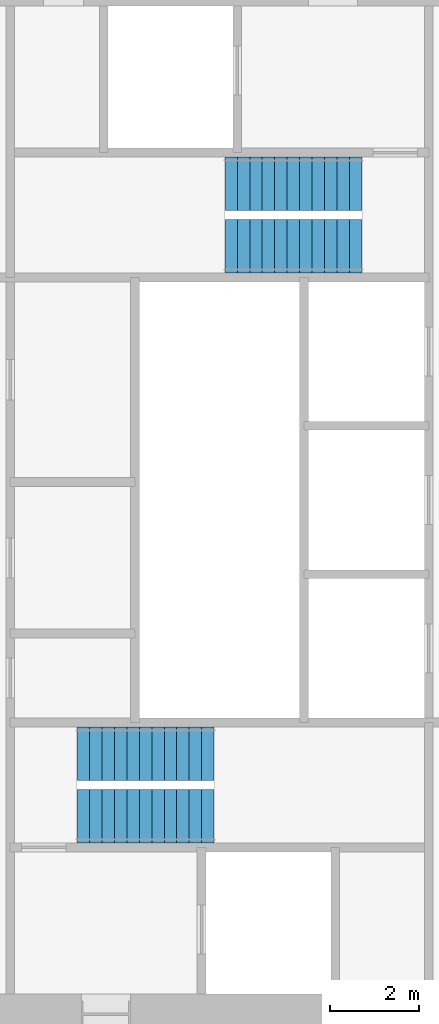
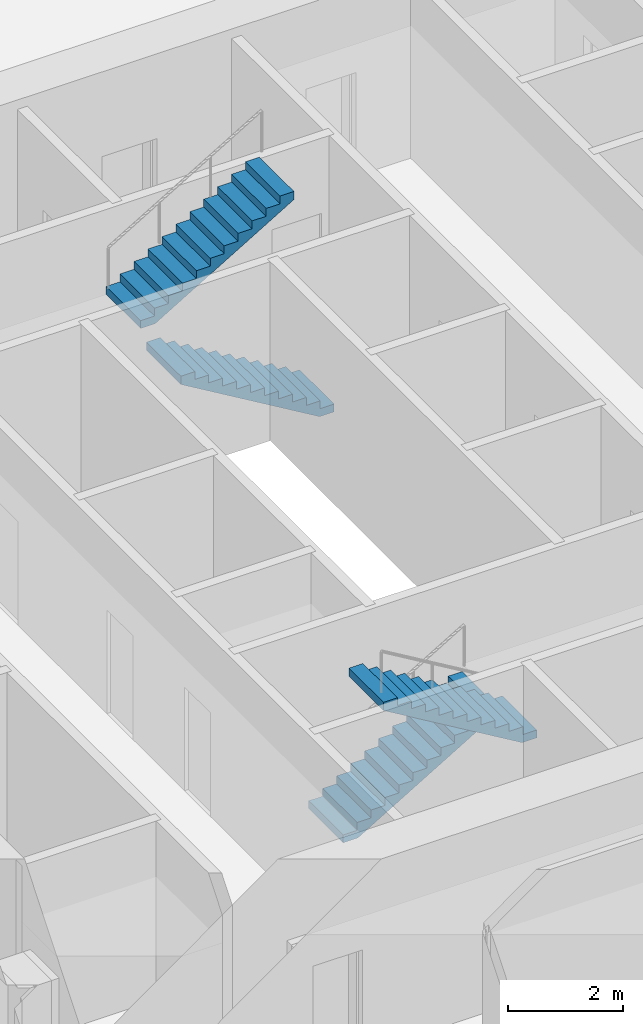
# One storey, part 12 of 16: 4 stair flights, 2 elements without a shape of their own.
"""IFC4 building model written with IfcOpenShell, lengths in metres."""

from ifc_helpers import new_model, si_unit, direction, frame, origin, place, context, subcontext, project, spatial, polyline, outline, extrude, material, type_object, element, aggregate, save


model = new_model("IFC4")

# Units and contexts
model_context = context("Model", 3, precision=1e-05, world=origin(), true_north=direction((0.0, 1.0)))
body_context = subcontext(model_context, "Body", "Model", "MODEL_VIEW")
ifc_project = project(units=[si_unit("LENGTHUNIT", "METRE"), si_unit("AREAUNIT", "SQUARE_METRE"), si_unit("VOLUMEUNIT", "CUBIC_METRE"), si_unit("PLANEANGLEUNIT", "RADIAN"), si_unit("MASSUNIT", "GRAM", prefix="KILO")], contexts=[model_context])

# Site, building, storey
site_placement = place(None, origin())
site = spatial("IfcSite", under=ifc_project, at=site_placement, CompositionType="ELEMENT")
building_placement = place(site_placement, origin())
building = spatial("IfcBuilding", under=site, at=building_placement, Name="Fenwick Lantern Interchange", CompositionType="ELEMENT")
storey_placement = place(building_placement, frame((0.0, 0.0, 181.800048828125)))
storey = spatial("IfcBuildingStorey", under=building, at=storey_placement, Name="L42", CompositionType="ELEMENT", Elevation=181.800048828125)

# Stair, stair flights
ifc_material = material(Name="Precast concrete f'c 35 MPa", Category="concrete")
stair_type = type_object("IfcStairType", Name="EXIT STAIR 1200", PredefinedType="HALF_TURN_STAIR", material=ifc_material)
stair_1_placement = place(storey_placement, origin())
stair_1 = element("IfcStair", 1, at=stair_1_placement, inside=storey, type_object=stair_type, Name="Exit stair ST1", PredefinedType="HALF_TURN_STAIR")
stair_flight_type = type_object("IfcStairFlightType", Name="STAIR FLIGHT 1200", PredefinedType="STRAIGHT", material=ifc_material)
stair_flight_1_placement = place(storey_placement, frame((21.800048828125, 19.300048828125, 0.0), z_axis=(0.0, 0.0, 1.0), x_axis=(1.0, 0.0, 0.0)))
stair_flight_1 = element("IfcStairFlight", 2, at=stair_flight_1_placement, type_object=stair_flight_type, Name="ST1 flight 1", NumberOfRisers=12, NumberOfTreads=11, PredefinedType="STRAIGHT", RiserHeight=0.166666667, TreadLength=0.28, context=body_context, shape_type="SweptSolid", body=[
    extrude(outline(polyline([(0.0, 0.0), (0.0, 0.166748046875), (0.280029296875, 0.166748046875), (0.280029296875, 0.333251953125), (0.56005859375, 0.333251953125), (0.56005859375, 0.5), (0.840087890625, 0.5), (0.840087890625, 0.666748046875), (1.1201171875, 0.666748046875), (1.1201171875, 0.833251953125), (1.39990234375, 0.833251953125), (1.39990234375, 1.0), (1.679931640625, 1.0), (1.679931640625, 1.166748046875), (1.9599609375, 1.166748046875), (1.9599609375, 1.333251953125), (2.239990234375, 1.333251953125), (2.239990234375, 1.5), (2.52001953125, 1.5), (2.52001953125, 1.666748046875), (2.800048828125, 1.666748046875), (2.800048828125, 1.833251953125), (3.080078125, 1.833251953125), (3.080078125, 2.0), (3.080078125, 1.658935546875), (0.29296875, 0.0), (0.0, 0.0)])), frame((0.0, 0.60009765625, 0.0), z_axis=(0.0, -1.0, 0.0), x_axis=(1.0, 0.0, 0.0)), (0.0, 0.0, 1.0), 1.199951171875),
])
stair_flight_2_placement = place(storey_placement, frame((24.8798828125, 17.89990234375, 2.0), z_axis=(0.0, 0.0, 1.0), x_axis=(-1.0, 0.0, 0.0)))
stair_flight_2 = element("IfcStairFlight", 3, at=stair_flight_2_placement, type_object=stair_flight_type, Name="ST1 flight 2", NumberOfRisers=12, NumberOfTreads=11, PredefinedType="STRAIGHT", RiserHeight=0.166666667, TreadLength=0.28, context=body_context, shape_type="SweptSolid", body=[
    extrude(outline(polyline([(0.0, 0.0), (0.0, 0.166748046875), (0.280029296875, 0.166748046875), (0.280029296875, 0.333251953125), (0.56005859375, 0.333251953125), (0.56005859375, 0.5), (0.840087890625, 0.5), (0.840087890625, 0.666748046875), (1.1201171875, 0.666748046875), (1.1201171875, 0.833251953125), (1.39990234375, 0.833251953125), (1.39990234375, 1.0), (1.679931640625, 1.0), (1.679931640625, 1.166748046875), (1.9599609375, 1.166748046875), (1.9599609375, 1.333251953125), (2.239990234375, 1.333251953125), (2.239990234375, 1.5), (2.52001953125, 1.5), (2.52001953125, 1.666748046875), (2.800048828125, 1.666748046875), (2.800048828125, 1.833251953125), (3.080078125, 1.833251953125), (3.080078125, 2.0), (3.080078125, 1.658935546875), (0.29296875, 0.0), (0.0, 0.0)])), frame((0.0, 0.60009765625, 0.0), z_axis=(0.0, -1.0, 0.0), x_axis=(1.0, 0.0, 0.0)), (0.0, 0.0, 1.0), 1.199951171875),
])
aggregate(stair_1, [stair_flight_1, stair_flight_2])

stair_2_placement = place(storey_placement, origin())
stair_2 = element("IfcStair", 4, at=stair_2_placement, inside=storey, type_object=stair_type, Name="Exit stair ST2", PredefinedType="HALF_TURN_STAIR")
stair_flight_3_placement = place(storey_placement, frame((28.199951171875, 30.699951171875, 0.0), z_axis=(0.0, 0.0, 1.0), x_axis=(-1.0, 0.0, 0.0)))
stair_flight_3 = element("IfcStairFlight", 5, at=stair_flight_3_placement, type_object=stair_flight_type, Name="ST2 flight 1", NumberOfRisers=12, NumberOfTreads=11, PredefinedType="STRAIGHT", RiserHeight=0.166666667, TreadLength=0.28, context=body_context, shape_type="SweptSolid", body=[
    extrude(outline(polyline([(0.0, 0.0), (0.0, 0.166748046875), (0.280029296875, 0.166748046875), (0.280029296875, 0.333251953125), (0.56005859375, 0.333251953125), (0.56005859375, 0.5), (0.840087890625, 0.5), (0.840087890625, 0.666748046875), (1.1201171875, 0.666748046875), (1.1201171875, 0.833251953125), (1.39990234375, 0.833251953125), (1.39990234375, 1.0), (1.679931640625, 1.0), (1.679931640625, 1.166748046875), (1.9599609375, 1.166748046875), (1.9599609375, 1.333251953125), (2.239990234375, 1.333251953125), (2.239990234375, 1.5), (2.52001953125, 1.5), (2.52001953125, 1.666748046875), (2.800048828125, 1.666748046875), (2.800048828125, 1.833251953125), (3.080078125, 1.833251953125), (3.080078125, 2.0), (3.080078125, 1.658935546875), (0.29296875, 0.0), (0.0, 0.0)])), frame((0.0, 0.60009765625, 0.0), z_axis=(0.0, -1.0, 0.0), x_axis=(1.0, 0.0, 0.0)), (0.0, 0.0, 1.0), 1.199951171875),
])
stair_flight_4_placement = place(storey_placement, frame((25.1201171875, 32.10009765625, 2.0), z_axis=(0.0, 0.0, 1.0), x_axis=(1.0, 0.0, 0.0)))
stair_flight_4 = element("IfcStairFlight", 6, at=stair_flight_4_placement, type_object=stair_flight_type, Name="ST2 flight 2", NumberOfRisers=12, NumberOfTreads=11, PredefinedType="STRAIGHT", RiserHeight=0.166666667, TreadLength=0.28, context=body_context, shape_type="SweptSolid", body=[
    extrude(outline(polyline([(0.0, 0.0), (0.0, 0.166748046875), (0.280029296875, 0.166748046875), (0.280029296875, 0.333251953125), (0.56005859375, 0.333251953125), (0.56005859375, 0.5), (0.840087890625, 0.5), (0.840087890625, 0.666748046875), (1.1201171875, 0.666748046875), (1.1201171875, 0.833251953125), (1.39990234375, 0.833251953125), (1.39990234375, 1.0), (1.679931640625, 1.0), (1.679931640625, 1.166748046875), (1.9599609375, 1.166748046875), (1.9599609375, 1.333251953125), (2.239990234375, 1.333251953125), (2.239990234375, 1.5), (2.52001953125, 1.5), (2.52001953125, 1.666748046875), (2.800048828125, 1.666748046875), (2.800048828125, 1.833251953125), (3.080078125, 1.833251953125), (3.080078125, 2.0), (3.080078125, 1.658935546875), (0.29296875, 0.0), (0.0, 0.0)])), frame((0.0, 0.60009765625, 0.0), z_axis=(0.0, -1.0, 0.0), x_axis=(1.0, 0.0, 0.0)), (0.0, 0.0, 1.0), 1.199951171875),
])
aggregate(stair_2, [stair_flight_3, stair_flight_4])

save(model, "model.ifc")
